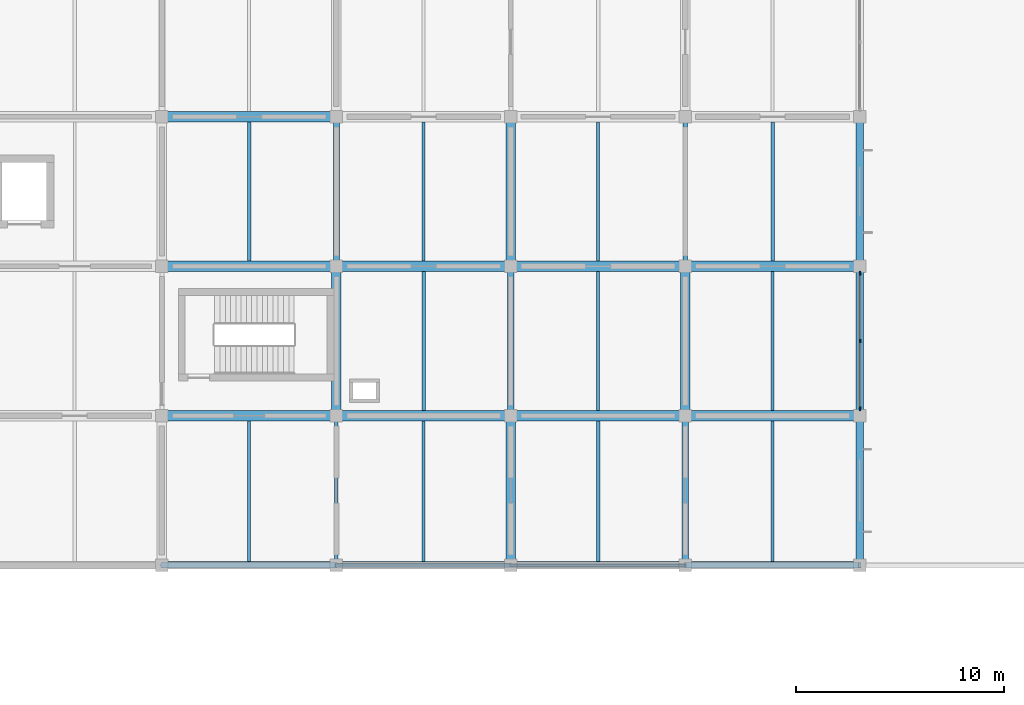
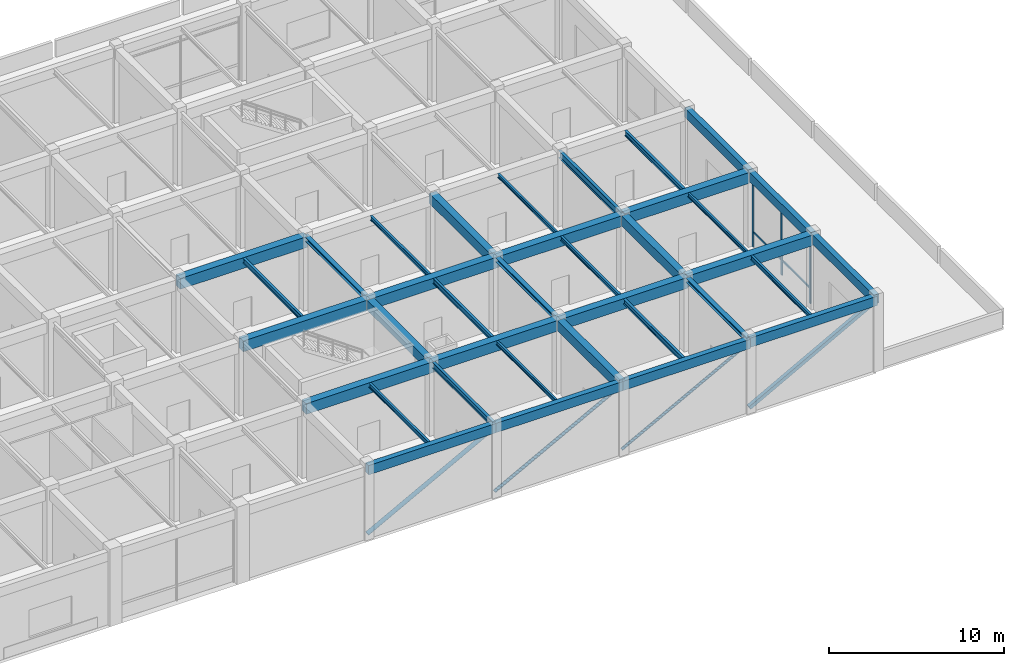
# One storey, part 14 of 38: 36 beams, 9 members, 1 element without a shape of its own.
"""IFC4 building model written with IfcOpenShell, lengths in metres."""

from ifc_helpers import new_model, si_unit, derived_unit, direction, frame, origin, origin_2d, place, context, subcontext, project, spatial, rectangle, hollow_rectangle, hollow_circle, i_section, extrude, material, material_profile, profile_set, type_object, element, aggregate, save


model = new_model("IFC4")

# Units and contexts
model_context = context("Model", 3, precision=1e-05, world=origin(), true_north=direction((0.0, 1.0)))
body_context = subcontext(model_context, "Body", "Model", "MODEL_VIEW")
ifc_project = project(units=[si_unit("LENGTHUNIT", "METRE"), si_unit("AREAUNIT", "SQUARE_METRE"), si_unit("VOLUMEUNIT", "CUBIC_METRE"), si_unit("PLANEANGLEUNIT", "RADIAN"), si_unit("MASSUNIT", "GRAM", prefix="KILO"), derived_unit("THERMALTRANSMITTANCEUNIT", [(si_unit("MASSUNIT", "GRAM", prefix="KILO"), 1), (si_unit("TIMEUNIT", "SECOND"), -3), (si_unit("THERMODYNAMICTEMPERATUREUNIT", "KELVIN"), -1)])], contexts=[model_context])

# Site, building, storey
site_placement = place(None, origin())
site = spatial("IfcSite", under=ifc_project, at=site_placement, CompositionType="ELEMENT")
building_placement = place(site_placement, origin())
building = spatial("IfcBuilding", under=site, at=building_placement, Name="Veldstrom Oceanarium and Marine Research Institute", CompositionType="ELEMENT")
storey_placement = place(building_placement, frame((0.0, 0.0, 11.39990234375)))
storey = spatial("IfcBuildingStorey", under=building, at=storey_placement, Name="L02", CompositionType="ELEMENT", Elevation=11.39990234375)

# Curtain wall, members
ifc_material_1 = material(Name="Anodised Aluminium Framing", Category="aluminium")
curtain_wall_type = type_object("IfcCurtainWallType", Name="ARC-CW-CW06", PredefinedType="USERDEFINED", material=ifc_material_1)
curtain_wall_placement = place(storey_placement, origin())
curtain_wall = element("IfcCurtainWall", 1, at=curtain_wall_placement, inside=storey, type_object=curtain_wall_type, Name="Curtain Wall CW06 CW-L02-039", ObjectType="Curtain wall", PredefinedType="USERDEFINED")
ifc_material_2 = material(Name="Anodised Aluminium Framing", Category="aluminium")
ifc_material_profile_1 = material_profile(ifc_material_2, rectangle(XDim=0.074951171875, YDim=0.179931640625, at=origin_2d()), Name="ALU-MUL-75x180")
ifc_profile_set_1 = profile_set([ifc_material_profile_1], Name="Anodised Aluminium Framing")
member_type_1 = type_object("IfcMemberType", Name="ARC-MUL-ML1", PredefinedType="MULLION", material=ifc_profile_set_1)
member_1_placement = place(storey_placement, frame((159.60009765625, 50.739990234375, 0.0), z_axis=(0.0, 0.0, 1.0), x_axis=(1.0, 0.0, 0.0)))
member_1 = element("IfcMember", 2, at=member_1_placement, type_object=member_type_1, Name="Curtain Wall Mullion CW-L02-039-MUL-1", PredefinedType="MULLION", context=body_context, shape_type="SweptSolid", body=[
    extrude(rectangle(XDim=0.074951171875, YDim=0.179931640625, at=origin_2d()), origin(), (0.0, 0.0, 1.0), 5.10009765625),
])
member_2_placement = place(storey_placement, frame((159.60009765625, 54.0, 0.0), z_axis=(0.0, 0.0, 1.0), x_axis=(1.0, 0.0, 0.0)))
member_2 = element("IfcMember", 3, at=member_2_placement, type_object=member_type_1, Name="Curtain Wall Mullion CW-L02-039-MUL-2", PredefinedType="MULLION", context=body_context, shape_type="SweptSolid", body=[
    extrude(rectangle(XDim=0.074951171875, YDim=0.179931640625, at=origin_2d()), origin(), (0.0, 0.0, 1.0), 5.10009765625),
])
member_3_placement = place(storey_placement, frame((159.60009765625, 57.260009765625, 0.0), z_axis=(0.0, 0.0, 1.0), x_axis=(1.0, 0.0, 0.0)))
member_3 = element("IfcMember", 4, at=member_3_placement, type_object=member_type_1, Name="Curtain Wall Mullion CW-L02-039-MUL-3", PredefinedType="MULLION", context=body_context, shape_type="SweptSolid", body=[
    extrude(rectangle(XDim=0.074951171875, YDim=0.179931640625, at=origin_2d()), origin(), (0.0, 0.0, 1.0), 5.10009765625),
])
ifc_material_3 = material(Name="Anodised Aluminium Framing", Category="aluminium")
ifc_material_profile_2 = material_profile(ifc_material_3, rectangle(XDim=0.06494140625, YDim=0.1201171875, at=origin_2d()), Name="ALU-TRN-65x120")
ifc_profile_set_2 = profile_set([ifc_material_profile_2], Name="Anodised Aluminium Framing")
member_type_2 = type_object("IfcMemberType", Name="ARC-TRN-TR2", PredefinedType="USERDEFINED", material=ifc_profile_set_2)
member_4_placement = place(storey_placement, frame((159.60009765625, 50.780029296875, 1.050048828125), z_axis=(0.0, 1.0, 0.0), x_axis=(-1.0, 0.0, 0.0)))
member_4 = element("IfcMember", 5, at=member_4_placement, type_object=member_type_2, Name="Curtain Wall Transom CW-L02-039-TRN-1", ObjectType="Transom", PredefinedType="USERDEFINED", context=body_context, shape_type="SweptSolid", body=[
    extrude(rectangle(XDim=0.06494140625, YDim=0.1201171875, at=origin_2d()), origin(), (0.0, 0.0, 1.0), 3.179931640625),
])
member_5_placement = place(storey_placement, frame((159.60009765625, 54.0400390625, 1.050048828125), z_axis=(0.0, 1.0, 0.0), x_axis=(-1.0, 0.0, 0.0)))
member_5 = element("IfcMember", 6, at=member_5_placement, type_object=member_type_2, Name="Curtain Wall Transom CW-L02-039-TRN-2", ObjectType="Transom", PredefinedType="USERDEFINED", context=body_context, shape_type="SweptSolid", body=[
    extrude(rectangle(XDim=0.06494140625, YDim=0.1201171875, at=origin_2d()), origin(), (0.0, 0.0, 1.0), 3.179931640625),
])
aggregate(curtain_wall, [member_1, member_2, member_3, member_4, member_5])

# Beams
ifc_material_4 = material(Name="Concrete C40/50", Category="concrete")
ifc_material_profile_3 = material_profile(ifc_material_4, rectangle(XDim=0.5, YDim=0.75, at=origin_2d()), Name="RC-BM-500x750")
ifc_profile_set_3 = profile_set([ifc_material_profile_3], Name="Concrete C40/50")
beam_type_1 = type_object("IfcBeamType", Name="STR-BM-B03", PredefinedType="BEAM", material=ifc_profile_set_3)
for number, where, z_axis, x_axis, name in (
    (7, (126.0, 50.39990234375, 4.72021484375), (1.0, 0.0, 0.0), (0.0, 1.0, 0.0), "Primary Beam B03 L02-1590"),
    (8, (126.0, 57.60009765625, 4.72021484375), (1.0, 0.0, 0.0), (0.0, 1.0, 0.0), "Primary Beam B03 L02-1591"),
    (9, (126.0, 64.800048828125, 4.72021484375), (1.0, 0.0, 0.0), (0.0, 1.0, 0.0), "Primary Beam B03 L02-1592"),
):
    element("IfcBeam", number, at=place(storey_placement, frame(where, z_axis=z_axis, x_axis=x_axis)), inside=storey, type_object=beam_type_1, Name=name, PredefinedType="BEAM", context=body_context, shape_type="SweptSolid", body=[
        extrude(rectangle(XDim=0.5, YDim=0.75, at=origin_2d()), origin(), (0.0, 0.0, 1.0), 8.39990234375),
    ])
for number, where, z_axis, x_axis, name in (
    (10, (134.39990234375, 50.39990234375, 4.72021484375), (1.0, 0.0, 0.0), (0.0, 1.0, 0.0), "Primary Beam B03 L02-1597"),
    (11, (134.39990234375, 57.60009765625, 4.72021484375), (1.0, 0.0, 0.0), (0.0, 1.0, 0.0), "Primary Beam B03 L02-1598"),
):
    element("IfcBeam", number, at=place(storey_placement, frame(where, z_axis=z_axis, x_axis=x_axis)), inside=storey, type_object=beam_type_1, Name=name, PredefinedType="BEAM", context=body_context, shape_type="SweptSolid", body=[
        extrude(rectangle(XDim=0.5, YDim=0.75, at=origin_2d()), origin(), (0.0, 0.0, 1.0), 8.400146484375),
    ])
for number, where, z_axis, x_axis, name in (
    (12, (142.800048828125, 50.39990234375, 4.72021484375), (1.0, 0.0, 0.0), (0.0, 1.0, 0.0), "Primary Beam B03 L02-1604"),
    (13, (142.800048828125, 57.60009765625, 4.72021484375), (1.0, 0.0, 0.0), (0.0, 1.0, 0.0), "Primary Beam B03 L02-1605"),
):
    element("IfcBeam", number, at=place(storey_placement, frame(where, z_axis=z_axis, x_axis=x_axis)), inside=storey, type_object=beam_type_1, Name=name, PredefinedType="BEAM", context=body_context, shape_type="SweptSolid", body=[
        extrude(rectangle(XDim=0.5, YDim=0.75, at=origin_2d()), origin(), (0.0, 0.0, 1.0), 8.39990234375),
    ])
for number, where, z_axis, x_axis, name in (
    (14, (151.199951171875, 50.39990234375, 4.795166015625), (1.0, 0.0, 0.0), (0.0, 1.0, 0.0), "Primary Beam B03 L02-1611"),
    (15, (151.199951171875, 57.60009765625, 4.795166015625), (1.0, 0.0, 0.0), (0.0, 1.0, 0.0), "Primary Beam B03 L02-1612"),
):
    element("IfcBeam", number, at=place(storey_placement, frame(where, z_axis=z_axis, x_axis=x_axis)), inside=storey, type_object=beam_type_1, Name=name, PredefinedType="BEAM", context=body_context, shape_type="SweptSolid", body=[
        extrude(rectangle(XDim=0.5, YDim=0.75, at=origin_2d()), origin(), (0.0, 0.0, 1.0), 8.400146484375),
    ])
ifc_material_5 = material(Name="Concrete C40/50", Category="concrete")
ifc_material_profile_4 = material_profile(ifc_material_5, rectangle(XDim=0.449951171875, YDim=0.699951171875, at=origin_2d()), Name="RC-BM-450x700")
ifc_profile_set_4 = profile_set([ifc_material_profile_4], Name="Concrete C40/50")
beam_type_2 = type_object("IfcBeamType", Name="STR-BM-B04", PredefinedType="BEAM", material=ifc_profile_set_4)
beam_1_placement = place(storey_placement, frame((134.39990234375, 50.39990234375, 4.7451171875), z_axis=(0.0, 1.0, 0.0), x_axis=(-1.0, 0.0, 0.0)))
element("IfcBeam", 16, at=beam_1_placement, inside=storey, type_object=beam_type_2, Name="Primary Beam B04 L02-1718", PredefinedType="BEAM", context=body_context, shape_type="SweptSolid", body=[
    extrude(rectangle(XDim=0.449951171875, YDim=0.699951171875, at=origin_2d()), origin(), (0.0, 0.0, 1.0), 7.2001953125),
])
for number, where, z_axis, x_axis, name in (
    (17, (142.800048828125, 43.199951171875, 4.7451171875), (0.0, 1.0, 0.0), (-1.0, 0.0, 0.0), "Primary Beam B04 L02-1723"),
    (18, (142.800048828125, 57.60009765625, 4.7451171875), (0.0, 1.0, 0.0), (-1.0, 0.0, 0.0), "Primary Beam B04 L02-1725"),
):
    element("IfcBeam", number, at=place(storey_placement, frame(where, z_axis=z_axis, x_axis=x_axis)), inside=storey, type_object=beam_type_2, Name=name, PredefinedType="BEAM", context=body_context, shape_type="SweptSolid", body=[
        extrude(rectangle(XDim=0.449951171875, YDim=0.699951171875, at=origin_2d()), origin(), (0.0, 0.0, 1.0), 7.199951171875),
    ])
beam_2_placement = place(storey_placement, frame((151.199951171875, 50.39990234375, 4.7451171875), z_axis=(0.0, 1.0, 0.0), x_axis=(-1.0, 0.0, 0.0)))
element("IfcBeam", 19, at=beam_2_placement, inside=storey, type_object=beam_type_2, Name="Primary Beam B04 L02-1730", PredefinedType="BEAM", context=body_context, shape_type="SweptSolid", body=[
    extrude(rectangle(XDim=0.449951171875, YDim=0.699951171875, at=origin_2d()), origin(), (0.0, 0.0, 1.0), 7.2001953125),
])
ifc_material_6 = material(Name="Steel S355JR", Category="steel")
ifc_material_profile_5 = material_profile(ifc_material_6, i_section(OverallWidth=0.300048828125, OverallDepth=0.2900390625, WebThickness=0.008544921875, FlangeThickness=0.013916015625, FilletRadius=0.027099609375, at=origin_2d()), Name="HEA 300")
ifc_profile_set_5 = profile_set([ifc_material_profile_5], Name="Steel S355JR")
beam_type_3 = type_object("IfcBeamType", Name="STR-BM-SB10", PredefinedType="BEAM", material=ifc_profile_set_5)
beam_3_placement = place(storey_placement, frame((134.39990234375, 57.60009765625, 4.9501953125), z_axis=(0.0, 1.0, 0.0), x_axis=(-1.0, 0.0, 0.0)))
element("IfcBeam", 20, at=beam_3_placement, inside=storey, type_object=beam_type_3, Name="Steel Tie Beam SB10 L02-1719", PredefinedType="BEAM", context=body_context, shape_type="SweptSolid", body=[
    extrude(i_section(OverallWidth=0.300048828125, OverallDepth=0.2900390625, WebThickness=0.008544921875, FlangeThickness=0.013916015625, FilletRadius=0.027099609375, at=origin_2d()), origin(), (0.0, 0.0, 1.0), 7.199951171875),
])
beam_4_placement = place(storey_placement, frame((142.800048828125, 50.39990234375, 4.9501953125), z_axis=(0.0, 1.0, 0.0), x_axis=(-1.0, 0.0, 0.0)))
element("IfcBeam", 21, at=beam_4_placement, inside=storey, type_object=beam_type_3, Name="Steel Tie Beam SB10 L02-1724", PredefinedType="BEAM", context=body_context, shape_type="SweptSolid", body=[
    extrude(i_section(OverallWidth=0.300048828125, OverallDepth=0.2900390625, WebThickness=0.008544921875, FlangeThickness=0.013916015625, FilletRadius=0.027099609375, at=origin_2d()), origin(), (0.0, 0.0, 1.0), 7.2001953125),
])
beam_5_placement = place(storey_placement, frame((151.199951171875, 43.199951171875, 4.9501953125), z_axis=(0.0, 1.0, 0.0), x_axis=(-1.0, 0.0, 0.0)))
element("IfcBeam", 22, at=beam_5_placement, inside=storey, type_object=beam_type_3, Name="Steel Tie Beam SB10 L02-1729", PredefinedType="BEAM", context=body_context, shape_type="SweptSolid", body=[
    extrude(i_section(OverallWidth=0.300048828125, OverallDepth=0.2900390625, WebThickness=0.008544921875, FlangeThickness=0.013916015625, FilletRadius=0.027099609375, at=origin_2d()), origin(), (0.0, 0.0, 1.0), 7.199951171875),
])
ifc_material_7 = material(Name="Steel S355JR", Category="steel")
ifc_material_profile_6 = material_profile(ifc_material_7, i_section(OverallWidth=0.199951171875, OverallDepth=0.5, WebThickness=0.01025390625, FlangeThickness=0.01611328125, FilletRadius=0.02099609375, at=origin_2d()), Name="IPE 500")
ifc_profile_set_6 = profile_set([ifc_material_profile_6], Name="Steel S355JR")
beam_type_4 = type_object("IfcBeamType", Name="STR-BM-SB6", PredefinedType="BEAM", material=ifc_profile_set_6)
beam_6_placement = place(storey_placement, frame((151.199951171875, 57.60009765625, 4.84521484375), z_axis=(0.0, 1.0, 0.0), x_axis=(-1.0, 0.0, 0.0)))
element("IfcBeam", 23, at=beam_6_placement, inside=storey, type_object=beam_type_4, Name="Steel Tie Beam SB6 L02-1731", PredefinedType="BEAM", context=body_context, shape_type="SweptSolid", body=[
    extrude(i_section(OverallWidth=0.199951171875, OverallDepth=0.5, WebThickness=0.01025390625, FlangeThickness=0.01611328125, FilletRadius=0.02099609375, at=origin_2d()), origin(), (0.0, 0.0, 1.0), 7.199951171875),
])
ifc_material_8 = material(Name="Steel S355JR", Category="steel")
ifc_material_profile_7 = material_profile(ifc_material_8, i_section(OverallWidth=0.179931640625, OverallDepth=0.39990234375, WebThickness=0.008544921875, FlangeThickness=0.013427734375, FilletRadius=0.02099609375, at=origin_2d()), Name="IPE 400")
ifc_profile_set_7 = profile_set([ifc_material_profile_7], Name="Steel S355JR")
beam_type_5 = type_object("IfcBeamType", Name="STR-BM-SB8", PredefinedType="BEAM", material=ifc_profile_set_7)
beam_7_placement = place(storey_placement, frame((134.39990234375, 43.199951171875, 4.89501953125), z_axis=(0.0, 1.0, 0.0), x_axis=(-1.0, 0.0, 0.0)))
element("IfcBeam", 24, at=beam_7_placement, inside=storey, type_object=beam_type_5, Name="Steel Tie Beam SB8 L02-1717", PredefinedType="BEAM", context=body_context, shape_type="SweptSolid", body=[
    extrude(i_section(OverallWidth=0.179931640625, OverallDepth=0.39990234375, WebThickness=0.008544921875, FlangeThickness=0.013427734375, FilletRadius=0.02099609375, at=origin_2d()), origin(), (0.0, 0.0, 1.0), 7.199951171875),
])
ifc_material_9 = material(Name="Steel S355JR", Category="steel")
ifc_material_profile_8 = material_profile(ifc_material_9, i_section(OverallWidth=0.169921875, OverallDepth=0.360107421875, WebThickness=0.008056640625, FlangeThickness=0.0126953125, FilletRadius=0.01806640625, at=origin_2d()), Name="IPE 360")
ifc_profile_set_8 = profile_set([ifc_material_profile_8], Name="Steel S355JR")
beam_type_6 = type_object("IfcBeamType", Name="STR-JST-SJ1", PredefinedType="JOIST", material=ifc_profile_set_8)
beam_8_placement = place(storey_placement, frame((130.199951171875, 57.85009765625, 4.9150390625), z_axis=(0.0, 1.0, 0.0), x_axis=(-1.0, 0.0, 0.0)))
element("IfcBeam", 25, at=beam_8_placement, inside=storey, type_object=beam_type_6, Name="Secondary Joist SJ1 L02-1818", PredefinedType="JOIST", context=body_context, shape_type="SweptSolid", body=[
    extrude(i_section(OverallWidth=0.169921875, OverallDepth=0.360107421875, WebThickness=0.008056640625, FlangeThickness=0.0126953125, FilletRadius=0.01806640625, at=origin_2d()), origin(), (0.0, 0.0, 1.0), 6.699951171875),
])
beam_9_placement = place(storey_placement, frame((138.60009765625, 50.64990234375, 4.9150390625), z_axis=(0.0, 1.0, 0.0), x_axis=(-1.0, 0.0, 0.0)))
element("IfcBeam", 26, at=beam_9_placement, inside=storey, type_object=beam_type_6, Name="Secondary Joist SJ1 L02-1823", PredefinedType="JOIST", context=body_context, shape_type="SweptSolid", body=[
    extrude(i_section(OverallWidth=0.169921875, OverallDepth=0.360107421875, WebThickness=0.008056640625, FlangeThickness=0.0126953125, FilletRadius=0.01806640625, at=origin_2d()), origin(), (0.0, 0.0, 1.0), 6.7001953125),
])
beam_10_placement = place(storey_placement, frame((147.0, 43.375, 4.9150390625), z_axis=(0.0, 1.0, 0.0), x_axis=(-1.0, 0.0, 0.0)))
element("IfcBeam", 27, at=beam_10_placement, inside=storey, type_object=beam_type_6, Name="Secondary Joist SJ1 L02-1827", PredefinedType="JOIST", context=body_context, shape_type="SweptSolid", body=[
    extrude(i_section(OverallWidth=0.169921875, OverallDepth=0.360107421875, WebThickness=0.008056640625, FlangeThickness=0.0126953125, FilletRadius=0.01806640625, at=origin_2d()), origin(), (0.0, 0.0, 1.0), 6.77490234375),
])
beam_11_placement = place(storey_placement, frame((155.39990234375, 57.85009765625, 4.989990234375), z_axis=(0.0, 1.0, 0.0), x_axis=(-1.0, 0.0, 0.0)))
element("IfcBeam", 28, at=beam_11_placement, inside=storey, type_object=beam_type_6, Name="Secondary Joist SJ1 L02-1835", PredefinedType="JOIST", context=body_context, shape_type="SweptSolid", body=[
    extrude(i_section(OverallWidth=0.169921875, OverallDepth=0.360107421875, WebThickness=0.008056640625, FlangeThickness=0.0126953125, FilletRadius=0.01806640625, at=origin_2d()), origin(), (0.0, 0.0, 1.0), 6.699951171875),
])
ifc_material_10 = material(Name="Steel S355JR", Category="steel")
ifc_material_profile_9 = material_profile(ifc_material_10, i_section(OverallWidth=0.14990234375, OverallDepth=0.300048828125, WebThickness=0.007080078125, FlangeThickness=0.0107421875, FilletRadius=0.014892578125, at=origin_2d()), Name="IPE 300")
ifc_profile_set_9 = profile_set([ifc_material_profile_9], Name="Steel S355JR")
beam_type_7 = type_object("IfcBeamType", Name="STR-JST-SJ2", PredefinedType="JOIST", material=ifc_profile_set_9)
beam_12_placement = place(storey_placement, frame((130.199951171875, 43.375, 4.945068359375), z_axis=(0.0, 1.0, 0.0), x_axis=(-1.0, 0.0, 0.0)))
element("IfcBeam", 29, at=beam_12_placement, inside=storey, type_object=beam_type_7, Name="Secondary Joist SJ2 L02-1817", PredefinedType="JOIST", context=body_context, shape_type="SweptSolid", body=[
    extrude(i_section(OverallWidth=0.14990234375, OverallDepth=0.300048828125, WebThickness=0.007080078125, FlangeThickness=0.0107421875, FilletRadius=0.014892578125, at=origin_2d()), origin(), (0.0, 0.0, 1.0), 6.77490234375),
])
beam_13_placement = place(storey_placement, frame((138.60009765625, 57.85009765625, 4.945068359375), z_axis=(0.0, 1.0, 0.0), x_axis=(-1.0, 0.0, 0.0)))
element("IfcBeam", 30, at=beam_13_placement, inside=storey, type_object=beam_type_7, Name="Secondary Joist SJ2 L02-1824", PredefinedType="JOIST", context=body_context, shape_type="SweptSolid", body=[
    extrude(i_section(OverallWidth=0.14990234375, OverallDepth=0.300048828125, WebThickness=0.007080078125, FlangeThickness=0.0107421875, FilletRadius=0.014892578125, at=origin_2d()), origin(), (0.0, 0.0, 1.0), 6.699951171875),
])
beam_14_placement = place(storey_placement, frame((147.0, 50.64990234375, 4.945068359375), z_axis=(0.0, 1.0, 0.0), x_axis=(-1.0, 0.0, 0.0)))
element("IfcBeam", 31, at=beam_14_placement, inside=storey, type_object=beam_type_7, Name="Secondary Joist SJ2 L02-1828", PredefinedType="JOIST", context=body_context, shape_type="SweptSolid", body=[
    extrude(i_section(OverallWidth=0.14990234375, OverallDepth=0.300048828125, WebThickness=0.007080078125, FlangeThickness=0.0107421875, FilletRadius=0.014892578125, at=origin_2d()), origin(), (0.0, 0.0, 1.0), 6.7001953125),
])
beam_15_placement = place(storey_placement, frame((155.39990234375, 43.375, 5.02001953125), z_axis=(0.0, 1.0, 0.0), x_axis=(-1.0, 0.0, 0.0)))
element("IfcBeam", 32, at=beam_15_placement, inside=storey, type_object=beam_type_7, Name="Secondary Joist SJ2 L02-1833", PredefinedType="JOIST", context=body_context, shape_type="SweptSolid", body=[
    extrude(i_section(OverallWidth=0.14990234375, OverallDepth=0.300048828125, WebThickness=0.007080078125, FlangeThickness=0.0107421875, FilletRadius=0.014892578125, at=origin_2d()), origin(), (0.0, 0.0, 1.0), 6.77490234375),
])
ifc_material_11 = material(Name="Steel S355JR", Category="steel")
ifc_material_profile_10 = material_profile(ifc_material_11, i_section(OverallWidth=0.135009765625, OverallDepth=0.27001953125, WebThickness=0.006591796875, FlangeThickness=0.01025390625, FilletRadius=0.014892578125, at=origin_2d()), Name="IPE 270")
ifc_profile_set_10 = profile_set([ifc_material_profile_10], Name="Steel S355JR")
beam_type_8 = type_object("IfcBeamType", Name="STR-JST-SJ3", PredefinedType="JOIST", material=ifc_profile_set_10)
beam_16_placement = place(storey_placement, frame((138.60009765625, 43.375, 4.960205078125), z_axis=(0.0, 1.0, 0.0), x_axis=(-1.0, 0.0, 0.0)))
element("IfcBeam", 33, at=beam_16_placement, inside=storey, type_object=beam_type_8, Name="Secondary Joist SJ3 L02-1822", PredefinedType="JOIST", context=body_context, shape_type="SweptSolid", body=[
    extrude(i_section(OverallWidth=0.135009765625, OverallDepth=0.27001953125, WebThickness=0.006591796875, FlangeThickness=0.01025390625, FilletRadius=0.014892578125, at=origin_2d()), origin(), (0.0, 0.0, 1.0), 6.77490234375),
])
beam_17_placement = place(storey_placement, frame((147.0, 57.85009765625, 4.960205078125), z_axis=(0.0, 1.0, 0.0), x_axis=(-1.0, 0.0, 0.0)))
element("IfcBeam", 34, at=beam_17_placement, inside=storey, type_object=beam_type_8, Name="Secondary Joist SJ3 L02-1829", PredefinedType="JOIST", context=body_context, shape_type="SweptSolid", body=[
    extrude(i_section(OverallWidth=0.135009765625, OverallDepth=0.27001953125, WebThickness=0.006591796875, FlangeThickness=0.01025390625, FilletRadius=0.014892578125, at=origin_2d()), origin(), (0.0, 0.0, 1.0), 6.699951171875),
])
beam_18_placement = place(storey_placement, frame((155.39990234375, 50.64990234375, 5.03515625), z_axis=(0.0, 1.0, 0.0), x_axis=(-1.0, 0.0, 0.0)))
element("IfcBeam", 35, at=beam_18_placement, inside=storey, type_object=beam_type_8, Name="Secondary Joist SJ3 L02-1834", PredefinedType="JOIST", context=body_context, shape_type="SweptSolid", body=[
    extrude(i_section(OverallWidth=0.135009765625, OverallDepth=0.27001953125, WebThickness=0.006591796875, FlangeThickness=0.01025390625, FilletRadius=0.014892578125, at=origin_2d()), origin(), (0.0, 0.0, 1.0), 6.7001953125),
])

# Members
ifc_material_12 = material(Name="Steel S355JR", Category="steel")
ifc_material_profile_11 = material_profile(ifc_material_12, hollow_circle(Radius=0.109619140625, WallThickness=0.012451171875, at=origin_2d()), Name="CHS 219.1x12.5")
ifc_profile_set_11 = profile_set([ifc_material_profile_11], Name="Steel S355JR")
member_type_3 = type_object("IfcMemberType", Name="STR-MEM-BR1", PredefinedType="BRACE", material=ifc_profile_set_11)
member_6_placement = place(storey_placement, frame((134.39990234375, 43.199951171875, 0.25), z_axis=(0.881483397762, 0.0, 0.472215014025), x_axis=(0.0, 1.0, 0.0)))
element("IfcMember", 36, at=member_6_placement, inside=storey, type_object=member_type_3, Name="Party-Wall Lateral Brace LB-L02-0626", PredefinedType="BRACE", context=body_context, shape_type="SweptSolid", body=[
    extrude(hollow_circle(Radius=0.109619140625, WallThickness=0.012451171875, at=origin_2d()), origin(), (0.0, 0.0, 1.0), 9.529541015625),
])
ifc_material_13 = material(Name="Steel S355JR", Category="steel")
ifc_material_profile_12 = material_profile(ifc_material_13, hollow_circle(Radius=0.096923828125, WallThickness=0.010009765625, at=origin_2d()), Name="CHS 193.7x10")
ifc_profile_set_12 = profile_set([ifc_material_profile_12], Name="Steel S355JR")
member_type_4 = type_object("IfcMemberType", Name="STR-MEM-BR2", PredefinedType="BRACE", material=ifc_profile_set_12)
member_7_placement = place(storey_placement, frame((142.800048828125, 43.199951171875, 0.25), z_axis=(0.881477684796, 0.0, 0.472225678258), x_axis=(0.0, 1.0, 0.0)))
element("IfcMember", 37, at=member_7_placement, inside=storey, type_object=member_type_4, Name="Party-Wall Lateral Brace LB-L02-0627", PredefinedType="BRACE", context=body_context, shape_type="SweptSolid", body=[
    extrude(hollow_circle(Radius=0.096923828125, WallThickness=0.010009765625, at=origin_2d()), origin(), (0.0, 0.0, 1.0), 9.529296875),
])
ifc_material_14 = material(Name="Steel S355JR", Category="steel")
ifc_material_profile_13 = material_profile(ifc_material_14, hollow_rectangle(XDim=0.25, YDim=0.25, WallThickness=0.012451171875, at=origin_2d()), Name="SHS 250x250x12.5")
ifc_profile_set_13 = profile_set([ifc_material_profile_13], Name="Steel S355JR")
member_type_5 = type_object("IfcMemberType", Name="STR-MEM-CH1", PredefinedType="CHORD", material=ifc_profile_set_13)
member_8_placement = place(storey_placement, frame((151.199951171875, 43.199951171875, 0.25), z_axis=(0.878189984734, 0.0, 0.478311980525), x_axis=(0.0, 1.0, 0.0)))
element("IfcMember", 38, at=member_8_placement, inside=storey, type_object=member_type_5, Name="Party-Wall Lateral Brace LB-L02-0628", PredefinedType="CHORD", context=body_context, shape_type="SweptSolid", body=[
    extrude(hollow_rectangle(XDim=0.25, YDim=0.25, WallThickness=0.012451171875, at=origin_2d()), origin(), (0.0, 0.0, 1.0), 9.565185546875),
])
ifc_material_15 = material(Name="Steel S355JR", Category="steel")
ifc_material_profile_14 = material_profile(ifc_material_15, hollow_circle(Radius=0.136474609375, WallThickness=0.012451171875, at=origin_2d()), Name="CHS 273x12.5")
ifc_profile_set_14 = profile_set([ifc_material_profile_14], Name="Steel S355JR")
member_type_6 = type_object("IfcMemberType", Name="STR-MEM-CH3", PredefinedType="CHORD", material=ifc_profile_set_14)
member_9_placement = place(storey_placement, frame((126.0, 43.199951171875, 0.25), z_axis=(0.881477684796, 0.0, 0.472225678258), x_axis=(0.0, 1.0, 0.0)))
element("IfcMember", 39, at=member_9_placement, inside=storey, type_object=member_type_6, Name="Party-Wall Lateral Brace LB-L02-0625", PredefinedType="CHORD", context=body_context, shape_type="SweptSolid", body=[
    extrude(hollow_circle(Radius=0.136474609375, WallThickness=0.012451171875, at=origin_2d()), origin(), (0.0, 0.0, 1.0), 9.529296875),
])

# Beams
ifc_material_16 = material(Name="Concrete C40/50", Category="concrete")
ifc_material_profile_15 = material_profile(ifc_material_16, rectangle(XDim=0.35009765625, YDim=0.64990234375, at=origin_2d()), Name="RC-SPN-350x650")
ifc_profile_set_15 = profile_set([ifc_material_profile_15], Name="Concrete C40/50")
beam_type_9 = type_object("IfcBeamType", Name="STR-SPN-SP1", PredefinedType="SPANDREL", material=ifc_profile_set_15)
beam_19_placement = place(storey_placement, frame((126.0, 43.199951171875, 4.77001953125), z_axis=(1.0, 0.0, 0.0), x_axis=(0.0, 1.0, 0.0)))
element("IfcBeam", 40, at=beam_19_placement, inside=storey, type_object=beam_type_9, Name="Perimeter Spandrel SPB1 L02-1589", PredefinedType="SPANDREL", context=body_context, shape_type="SweptSolid", body=[
    extrude(rectangle(XDim=0.35009765625, YDim=0.64990234375, at=origin_2d()), origin(), (0.0, 0.0, 1.0), 8.39990234375),
])
beam_20_placement = place(storey_placement, frame((134.39990234375, 43.199951171875, 4.77001953125), z_axis=(1.0, 0.0, 0.0), x_axis=(0.0, 1.0, 0.0)))
element("IfcBeam", 41, at=beam_20_placement, inside=storey, type_object=beam_type_9, Name="Perimeter Spandrel SPB1 L02-1596", PredefinedType="SPANDREL", context=body_context, shape_type="SweptSolid", body=[
    extrude(rectangle(XDim=0.35009765625, YDim=0.64990234375, at=origin_2d()), origin(), (0.0, 0.0, 1.0), 8.400146484375),
])
beam_21_placement = place(storey_placement, frame((142.800048828125, 43.199951171875, 4.77001953125), z_axis=(1.0, 0.0, 0.0), x_axis=(0.0, 1.0, 0.0)))
element("IfcBeam", 42, at=beam_21_placement, inside=storey, type_object=beam_type_9, Name="Perimeter Spandrel SPB1 L02-1603", PredefinedType="SPANDREL", context=body_context, shape_type="SweptSolid", body=[
    extrude(rectangle(XDim=0.35009765625, YDim=0.64990234375, at=origin_2d()), origin(), (0.0, 0.0, 1.0), 8.39990234375),
])
beam_22_placement = place(storey_placement, frame((151.199951171875, 43.199951171875, 4.84521484375), z_axis=(1.0, 0.0, 0.0), x_axis=(0.0, 1.0, 0.0)))
element("IfcBeam", 43, at=beam_22_placement, inside=storey, type_object=beam_type_9, Name="Perimeter Spandrel SPB1 L02-1610", PredefinedType="SPANDREL", context=body_context, shape_type="SweptSolid", body=[
    extrude(rectangle(XDim=0.35009765625, YDim=0.64990234375, at=origin_2d()), origin(), (0.0, 0.0, 1.0), 8.400146484375),
])
beam_23_placement = place(storey_placement, frame((159.60009765625, 43.199951171875, 4.84521484375), z_axis=(0.0, 1.0, 0.0), x_axis=(-1.0, 0.0, 0.0)))
element("IfcBeam", 44, at=beam_23_placement, inside=storey, type_object=beam_type_9, Name="Perimeter Spandrel SPB1 L02-1735", PredefinedType="SPANDREL", context=body_context, shape_type="SweptSolid", body=[
    extrude(rectangle(XDim=0.35009765625, YDim=0.64990234375, at=origin_2d()), origin(), (0.0, 0.0, 1.0), 7.199951171875),
])
beam_24_placement = place(storey_placement, frame((159.60009765625, 50.39990234375, 4.84521484375), z_axis=(0.0, 1.0, 0.0), x_axis=(-1.0, 0.0, 0.0)))
element("IfcBeam", 45, at=beam_24_placement, inside=storey, type_object=beam_type_9, Name="Perimeter Spandrel SPB1 L02-1736", PredefinedType="SPANDREL", context=body_context, shape_type="SweptSolid", body=[
    extrude(rectangle(XDim=0.35009765625, YDim=0.64990234375, at=origin_2d()), origin(), (0.0, 0.0, 1.0), 7.2001953125),
])
beam_25_placement = place(storey_placement, frame((159.60009765625, 57.60009765625, 4.84521484375), z_axis=(0.0, 1.0, 0.0), x_axis=(-1.0, 0.0, 0.0)))
element("IfcBeam", 46, at=beam_25_placement, inside=storey, type_object=beam_type_9, Name="Perimeter Spandrel SPB1 L02-1737", PredefinedType="SPANDREL", context=body_context, shape_type="SweptSolid", body=[
    extrude(rectangle(XDim=0.35009765625, YDim=0.64990234375, at=origin_2d()), origin(), (0.0, 0.0, 1.0), 7.199951171875),
])

save(model, "model.ifc")
